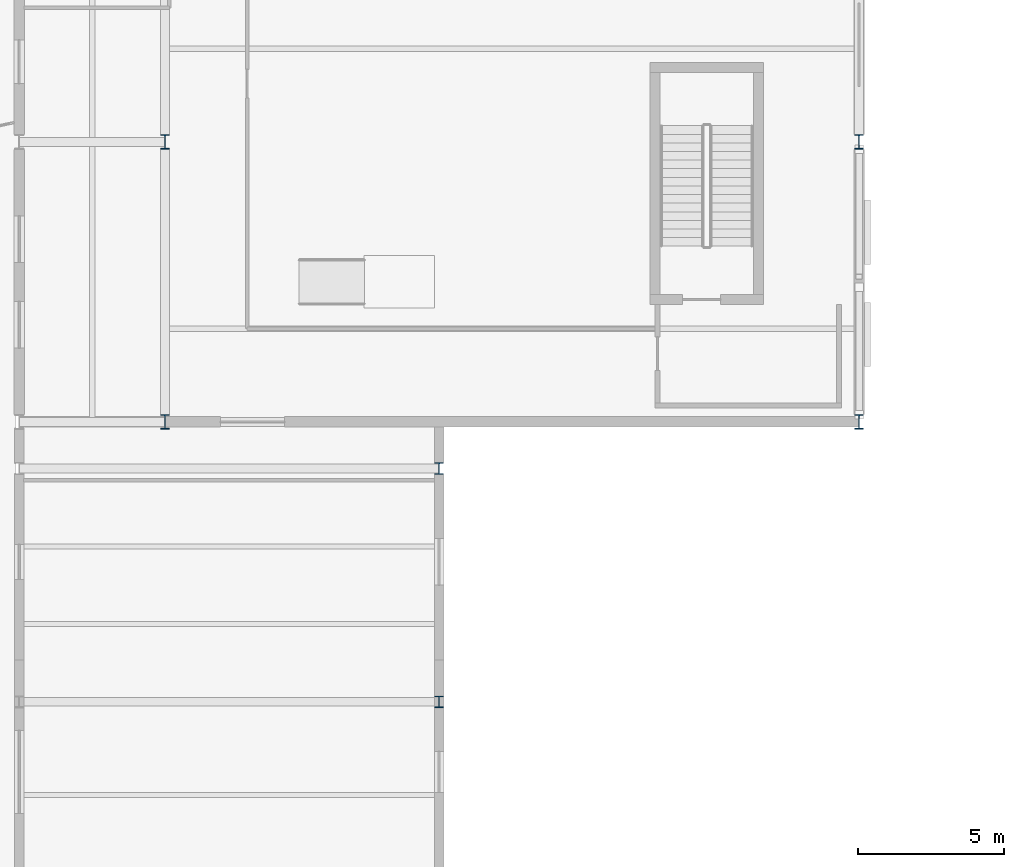
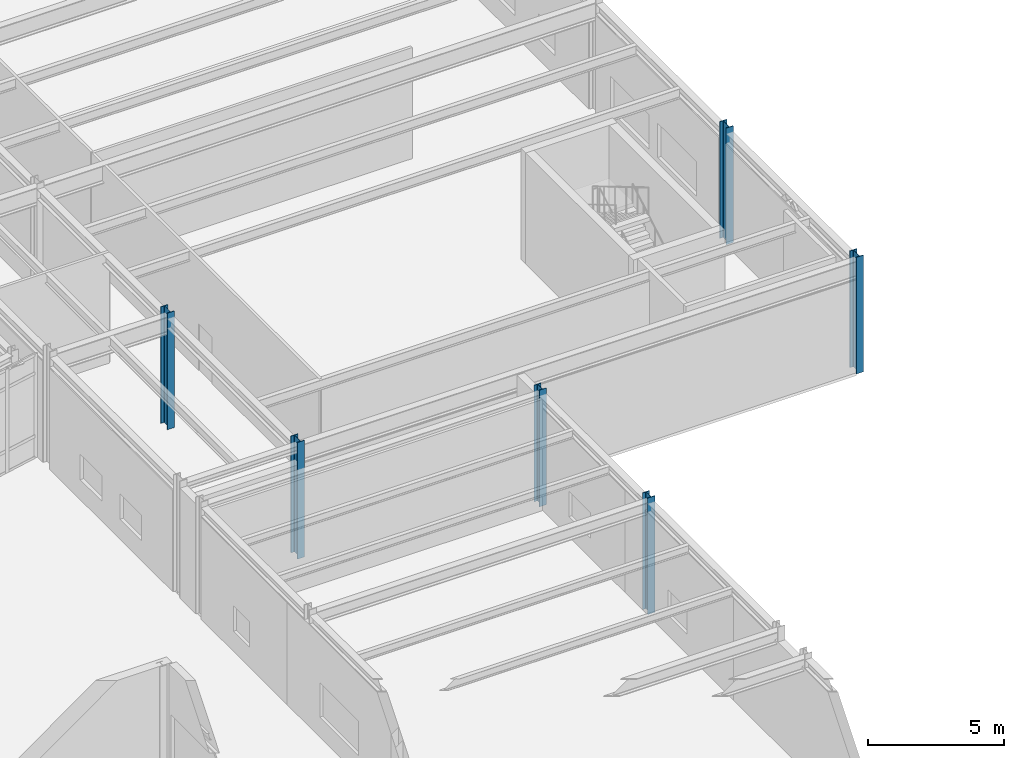
# One storey, part 11 of 109: 6 columns.
"""IFC4 building model written with IfcOpenShell, lengths in metres."""

from ifc_helpers import new_model, si_unit, direction, frame, origin, origin_2d, place, context, subcontext, project, spatial, i_section, extrude, material, material_profile, profile_set, type_object, element, save


model = new_model("IFC4")

# Units and contexts
model_context = context("Model", 3, precision=1e-05, world=origin(), true_north=direction((0.0, 1.0)))
body_context = subcontext(model_context, "Body", "Model", "MODEL_VIEW")
ifc_project = project(units=[si_unit("LENGTHUNIT", "METRE"), si_unit("AREAUNIT", "SQUARE_METRE"), si_unit("VOLUMEUNIT", "CUBIC_METRE"), si_unit("PLANEANGLEUNIT", "RADIAN"), si_unit("MASSUNIT", "GRAM", prefix="KILO")], contexts=[model_context])

# Site, building, storey
site_placement = place(None, origin())
site = spatial("IfcSite", under=ifc_project, at=site_placement, CompositionType="ELEMENT")
building_placement = place(site_placement, origin())
building = spatial("IfcBuilding", under=site, at=building_placement, Name="Nordkorset Police Headquarters", CompositionType="ELEMENT")
storey_placement = place(building_placement, origin())
storey = spatial("IfcBuildingStorey", under=building, at=storey_placement, Name="L00", CompositionType="ELEMENT", Elevation=0.0)

# Columns
ifc_material_1 = material(Name="Steel S355J2", Category="steel")
ifc_material_profile_1 = material_profile(ifc_material_1, i_section(OverallWidth=0.300048828125, OverallDepth=0.39990234375, WebThickness=0.013427734375, FlangeThickness=0.02392578125, FilletRadius=0.027099609375, at=origin_2d()), Name="HEB 400")
ifc_profile_set_1 = profile_set([ifc_material_profile_1], Name="Steel S355J2")
column_type_1 = type_object("IfcColumnType", Name="Col_HEB_400", PredefinedType="COLUMN", material=ifc_profile_set_1)
for number, where, z_axis, x_axis, name in (
    (1, (100.800048828125, 38.39990234375, 0.0), (0.0, 0.0, 1.0), (1.0, 0.0, 0.0), "Structural Column V7_EC_1_384 L00"),
    (2, (100.800048828125, 46.39990234375, 0.0), (0.0, 0.0, 1.0), (1.0, 0.0, 0.0), "Structural Column V7_EC_1_464 L00"),
):
    element("IfcColumn", number, at=place(storey_placement, frame(where, z_axis=z_axis, x_axis=x_axis)), inside=storey, type_object=column_type_1, Name=name, PredefinedType="COLUMN", context=body_context, shape_type="SweptSolid", body=[
        extrude(i_section(OverallWidth=0.300048828125, OverallDepth=0.39990234375, WebThickness=0.013427734375, FlangeThickness=0.02392578125, FilletRadius=0.027099609375, at=origin_2d()), origin(), (0.0, 0.0, 1.0), 5.25),
    ])
ifc_material_2 = material(Name="Steel S355J2", Category="steel")
ifc_material_profile_2 = material_profile(ifc_material_2, i_section(OverallWidth=0.300048828125, OverallDepth=0.5, WebThickness=0.014404296875, FlangeThickness=0.028076171875, FilletRadius=0.027099609375, at=origin_2d()), Name="HEB 500")
ifc_profile_set_2 = profile_set([ifc_material_profile_2], Name="Steel S355J2")
column_type_2 = type_object("IfcColumnType", Name="Col_HEB_500", PredefinedType="COLUMN", material=ifc_profile_set_2)
for number, where, z_axis, x_axis, name in (
    (3, (91.39990234375, 48.0, 0.0), (0.0, 0.0, 1.0), (1.0, 0.0, 0.0), "Structural Column V5_X1_0 L00"),
    (4, (115.199951171875, 48.0, 0.0), (0.0, 0.0, 1.0), (1.0, 0.0, 0.0), "Structural Column V5_X2_0 L00"),
    (5, (91.39990234375, 57.60009765625, 0.0), (0.0, 0.0, 1.0), (1.0, 0.0, 0.0), "Structural Column V5_X1_1 L00"),
    (6, (115.199951171875, 57.60009765625, 0.0), (0.0, 0.0, 1.0), (1.0, 0.0, 0.0), "Structural Column V5_X2_1 L00"),
):
    element("IfcColumn", number, at=place(storey_placement, frame(where, z_axis=z_axis, x_axis=x_axis)), inside=storey, type_object=column_type_2, Name=name, PredefinedType="COLUMN", context=body_context, shape_type="SweptSolid", body=[
        extrude(i_section(OverallWidth=0.300048828125, OverallDepth=0.5, WebThickness=0.014404296875, FlangeThickness=0.028076171875, FilletRadius=0.027099609375, at=origin_2d()), origin(), (0.0, 0.0, 1.0), 5.25),
    ])

save(model, "model.ifc")
